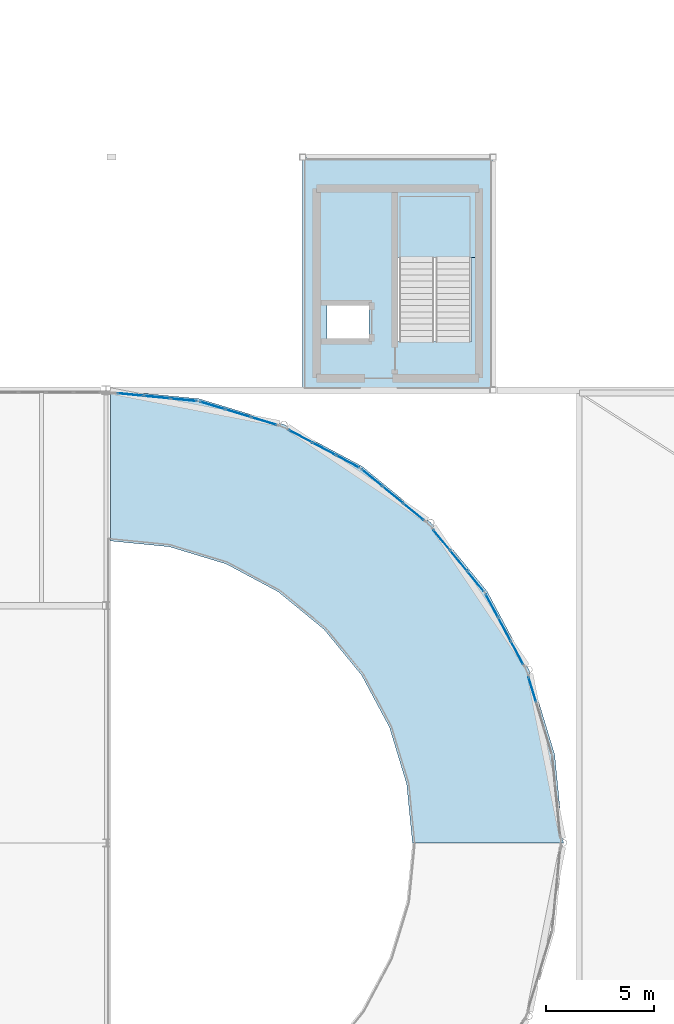
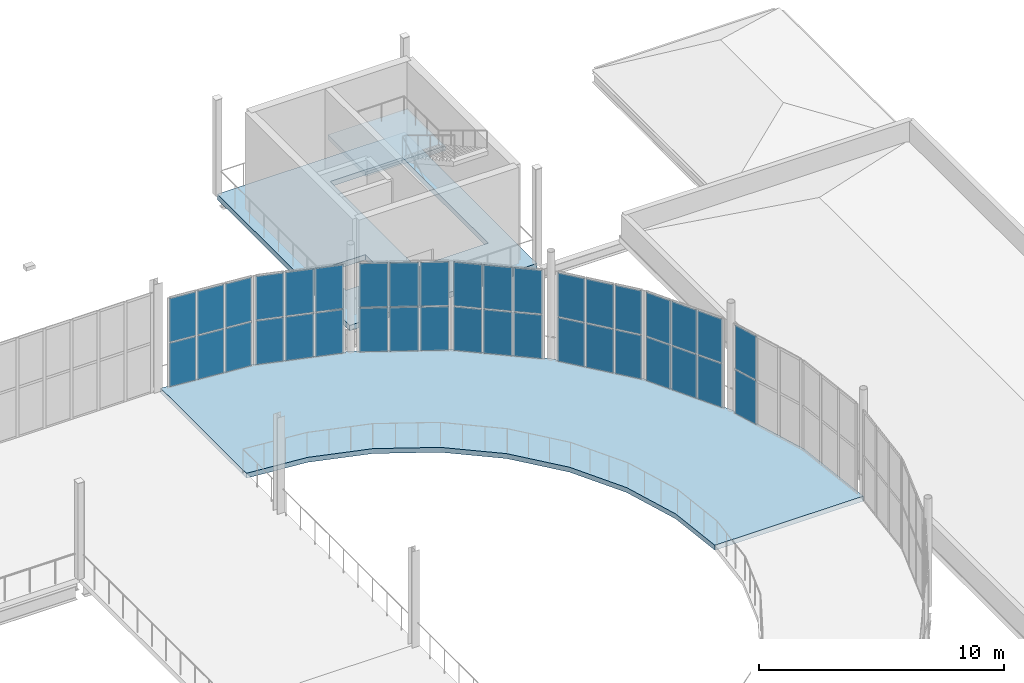
# One storey, part 86 of 112: 38 plates, 3 slabs, 8 elements without a shape of their own.
"""IFC4 building model written with IfcOpenShell, lengths in metres."""

from ifc_helpers import new_model, si_unit, direction, frame, origin, origin_2d, place, context, subcontext, project, spatial, polyline, rectangle, outline, extrude, material, layer, layer_set, type_object, element, aggregate, save


model = new_model("IFC4")

# Units and contexts
model_context = context("Model", 3, precision=1e-05, world=origin(), true_north=direction((0.0, 1.0)))
body_context = subcontext(model_context, "Body", "Model", "MODEL_VIEW")
ifc_project = project(units=[si_unit("LENGTHUNIT", "METRE"), si_unit("AREAUNIT", "SQUARE_METRE"), si_unit("VOLUMEUNIT", "CUBIC_METRE"), si_unit("PLANEANGLEUNIT", "RADIAN"), si_unit("MASSUNIT", "GRAM", prefix="KILO")], contexts=[model_context])

# Site, building, storey
site_placement = place(None, origin())
site = spatial("IfcSite", under=ifc_project, at=site_placement, CompositionType="ELEMENT")
building_placement = place(site_placement, origin())
building = spatial("IfcBuilding", under=site, at=building_placement, Name="Yeouljin Market Hall", CompositionType="ELEMENT")
storey_placement = place(building_placement, frame((0.0, 0.0, 6.0)))
storey = spatial("IfcBuildingStorey", under=building, at=storey_placement, Name="L01", CompositionType="ELEMENT", Elevation=6.0)

# Curtain wall, plates
ifc_material_1 = material(Name="Thermally Broken Aluminium", Category="aluminium")
ifc_layer_1 = layer(ifc_material_1, 0.179931640625)
ifc_layer_set_1 = layer_set([ifc_layer_1], Name="Thermally Broken Aluminium")
curtain_wall_type = type_object("IfcCurtainWallType", Name="CW_ApseCurved_System", PredefinedType="USERDEFINED", material=ifc_layer_set_1)
curtain_wall_1_placement = place(storey_placement, origin())
curtain_wall_1 = element("IfcCurtainWall", 1, at=curtain_wall_1_placement, inside=storey, type_object=curtain_wall_type, Name="Curtain wall CW-AP-EL01-10", ObjectType="CURTAIN WALL", PredefinedType="USERDEFINED")
ifc_material_2 = material(Name="Low-E Insulated Glass", Category="glass")
ifc_layer_2 = layer(ifc_material_2, 0.028076171875)
ifc_layer_set_2 = layer_set([ifc_layer_2], Name="Low-E Insulated Glass")
plate_type = type_object("IfcPlateType", Name="CWPanel_LowE_28", PredefinedType="CURTAIN_PANEL", material=ifc_layer_set_2)
plate_1_placement = place(storey_placement, frame((160.557861328125, 64.109130859375, 0.0478515625), z_axis=(0.0, 0.0, 1.0), x_axis=(0.290286164863, -0.95693988447, 0.0)))
plate_1 = element("IfcPlate", 2, at=plate_1_placement, type_object=plate_type, Name="CW-03 panel 1.1", PredefinedType="CURTAIN_PANEL", context=body_context, shape_type="SweptSolid", body=[
    extrude(rectangle(XDim=1.185791015625, YDim=0.028076171875, at=origin_2d()), origin(), (0.0, 0.0, 1.0), 2.177978515625),
])
plate_2_placement = place(storey_placement, frame((160.557861328125, 64.109130859375, 2.27392578125), z_axis=(0.0, 0.0, 1.0), x_axis=(0.290286164863, -0.95693988447, 0.0)))
plate_2 = element("IfcPlate", 3, at=plate_2_placement, type_object=plate_type, Name="CW-03 panel 1.2", PredefinedType="CURTAIN_PANEL", context=body_context, shape_type="SweptSolid", body=[
    extrude(rectangle(XDim=1.185791015625, YDim=0.028076171875, at=origin_2d()), origin(), (0.0, 0.0, 1.0), 2.177978515625),
])
aggregate(curtain_wall_1, [plate_1, plate_2])

curtain_wall_2_placement = place(storey_placement, origin())
curtain_wall_2 = element("IfcCurtainWall", 4, at=curtain_wall_2_placement, inside=storey, type_object=curtain_wall_type, Name="Curtain wall CW-AP-EL01-11", ObjectType="CURTAIN WALL", PredefinedType="USERDEFINED")
plate_3_placement = place(storey_placement, frame((158.68212890625, 67.999755859375, 0.0478515625), z_axis=(0.0, 0.0, 1.0), x_axis=(0.471377626598, -0.881931478712, 0.0)))
plate_3 = element("IfcPlate", 5, at=plate_3_placement, type_object=plate_type, Name="CW-03 panel 1.1", PredefinedType="CURTAIN_PANEL", context=body_context, shape_type="SweptSolid", body=[
    extrude(rectangle(XDim=1.185791015625, YDim=0.028076171875, at=origin_2d()), origin(), (0.0, 0.0, 1.0), 2.177978515625),
])
plate_4_placement = place(storey_placement, frame((158.68212890625, 67.999755859375, 2.27392578125), z_axis=(0.0, 0.0, 1.0), x_axis=(0.471377626598, -0.881931478712, 0.0)))
plate_4 = element("IfcPlate", 6, at=plate_4_placement, type_object=plate_type, Name="CW-03 panel 1.2", PredefinedType="CURTAIN_PANEL", context=body_context, shape_type="SweptSolid", body=[
    extrude(rectangle(XDim=1.185791015625, YDim=0.028076171875, at=origin_2d()), origin(), (0.0, 0.0, 1.0), 2.177978515625),
])
plate_5_placement = place(storey_placement, frame((159.269287109375, 66.901123046875, 0.0478515625), z_axis=(0.0, 0.0, 1.0), x_axis=(0.471377626598, -0.881931478712, 0.0)))
plate_5 = element("IfcPlate", 7, at=plate_5_placement, type_object=plate_type, Name="CW-03 panel 2.1", PredefinedType="CURTAIN_PANEL", context=body_context, shape_type="SweptSolid", body=[
    extrude(rectangle(XDim=1.209716796875, YDim=0.028076171875, at=origin_2d()), origin(), (0.0, 0.0, 1.0), 2.177978515625),
])
plate_6_placement = place(storey_placement, frame((159.269287109375, 66.901123046875, 2.27392578125), z_axis=(0.0, 0.0, 1.0), x_axis=(0.471377626598, -0.881931478712, 0.0)))
plate_6 = element("IfcPlate", 8, at=plate_6_placement, type_object=plate_type, Name="CW-03 panel 2.2", PredefinedType="CURTAIN_PANEL", context=body_context, shape_type="SweptSolid", body=[
    extrude(rectangle(XDim=1.209716796875, YDim=0.028076171875, at=origin_2d()), origin(), (0.0, 0.0, 1.0), 2.177978515625),
])
plate_7_placement = place(storey_placement, frame((159.8564453125, 65.802490234375, 0.0478515625), z_axis=(0.0, 0.0, 1.0), x_axis=(0.471377626598, -0.881931478712, 0.0)))
plate_7 = element("IfcPlate", 9, at=plate_7_placement, type_object=plate_type, Name="CW-03 panel 3.1", PredefinedType="CURTAIN_PANEL", context=body_context, shape_type="SweptSolid", body=[
    extrude(rectangle(XDim=1.185791015625, YDim=0.028076171875, at=origin_2d()), origin(), (0.0, 0.0, 1.0), 2.177978515625),
])
plate_8_placement = place(storey_placement, frame((159.8564453125, 65.802490234375, 2.27392578125), z_axis=(0.0, 0.0, 1.0), x_axis=(0.471377626598, -0.881931478712, 0.0)))
plate_8 = element("IfcPlate", 10, at=plate_8_placement, type_object=plate_type, Name="CW-03 panel 3.2", PredefinedType="CURTAIN_PANEL", context=body_context, shape_type="SweptSolid", body=[
    extrude(rectangle(XDim=1.185791015625, YDim=0.028076171875, at=origin_2d()), origin(), (0.0, 0.0, 1.0), 2.177978515625),
])
aggregate(curtain_wall_2, [plate_3, plate_4, plate_5, plate_6, plate_7, plate_8])

curtain_wall_3_placement = place(storey_placement, origin())
curtain_wall_3 = element("IfcCurtainWall", 11, at=curtain_wall_3_placement, inside=storey, type_object=curtain_wall_type, Name="Curtain wall CW-AP-EL01-12", ObjectType="CURTAIN WALL", PredefinedType="USERDEFINED")
plate_9_placement = place(storey_placement, frame((156.3486328125, 71.052490234375, 0.0478515625), z_axis=(0.0, 0.0, 1.0), x_axis=(0.634384432096, -0.773017717982, 0.0)))
plate_9 = element("IfcPlate", 12, at=plate_9_placement, type_object=plate_type, Name="CW-03 panel 1.1", PredefinedType="CURTAIN_PANEL", context=body_context, shape_type="SweptSolid", body=[
    extrude(rectangle(XDim=1.185791015625, YDim=0.028076171875, at=origin_2d()), origin(), (0.0, 0.0, 1.0), 2.177978515625),
])
plate_10_placement = place(storey_placement, frame((156.3486328125, 71.052490234375, 2.27392578125), z_axis=(0.0, 0.0, 1.0), x_axis=(0.634384432096, -0.773017717982, 0.0)))
plate_10 = element("IfcPlate", 13, at=plate_10_placement, type_object=plate_type, Name="CW-03 panel 1.2", PredefinedType="CURTAIN_PANEL", context=body_context, shape_type="SweptSolid", body=[
    extrude(rectangle(XDim=1.185791015625, YDim=0.028076171875, at=origin_2d()), origin(), (0.0, 0.0, 1.0), 2.177978515625),
])
plate_11_placement = place(storey_placement, frame((157.138916015625, 70.089599609375, 0.0478515625), z_axis=(0.0, 0.0, 1.0), x_axis=(0.634384432096, -0.773017717982, 0.0)))
plate_11 = element("IfcPlate", 14, at=plate_11_placement, type_object=plate_type, Name="CW-03 panel 2.1", PredefinedType="CURTAIN_PANEL", context=body_context, shape_type="SweptSolid", body=[
    extrude(rectangle(XDim=1.209716796875, YDim=0.028076171875, at=origin_2d()), origin(), (0.0, 0.0, 1.0), 2.177978515625),
])
plate_12_placement = place(storey_placement, frame((157.138916015625, 70.089599609375, 2.27392578125), z_axis=(0.0, 0.0, 1.0), x_axis=(0.634384432096, -0.773017717982, 0.0)))
plate_12 = element("IfcPlate", 15, at=plate_12_placement, type_object=plate_type, Name="CW-03 panel 2.2", PredefinedType="CURTAIN_PANEL", context=body_context, shape_type="SweptSolid", body=[
    extrude(rectangle(XDim=1.209716796875, YDim=0.028076171875, at=origin_2d()), origin(), (0.0, 0.0, 1.0), 2.177978515625),
])
plate_13_placement = place(storey_placement, frame((157.92919921875, 69.126708984375, 0.0478515625), z_axis=(0.0, 0.0, 1.0), x_axis=(0.634384432096, -0.773017717982, 0.0)))
plate_13 = element("IfcPlate", 16, at=plate_13_placement, type_object=plate_type, Name="CW-03 panel 3.1", PredefinedType="CURTAIN_PANEL", context=body_context, shape_type="SweptSolid", body=[
    extrude(rectangle(XDim=1.185791015625, YDim=0.028076171875, at=origin_2d()), origin(), (0.0, 0.0, 1.0), 2.177978515625),
])
plate_14_placement = place(storey_placement, frame((157.92919921875, 69.126708984375, 2.27392578125), z_axis=(0.0, 0.0, 1.0), x_axis=(0.634384432096, -0.773017717982, 0.0)))
plate_14 = element("IfcPlate", 17, at=plate_14_placement, type_object=plate_type, Name="CW-03 panel 3.2", PredefinedType="CURTAIN_PANEL", context=body_context, shape_type="SweptSolid", body=[
    extrude(rectangle(XDim=1.185791015625, YDim=0.028076171875, at=origin_2d()), origin(), (0.0, 0.0, 1.0), 2.177978515625),
])
aggregate(curtain_wall_3, [plate_9, plate_10, plate_11, plate_12, plate_13, plate_14])

curtain_wall_4_placement = place(storey_placement, origin())
curtain_wall_4 = element("IfcCurtainWall", 18, at=curtain_wall_4_placement, inside=storey, type_object=curtain_wall_type, Name="Curtain wall CW-AP-EL01-13", ObjectType="CURTAIN WALL", PredefinedType="USERDEFINED")
plate_15_placement = place(storey_placement, frame((153.126708984375, 73.92919921875, 0.0478515625), z_axis=(0.0, 0.0, 1.0), x_axis=(0.773017717982, -0.634384432096, 0.0)))
plate_15 = element("IfcPlate", 19, at=plate_15_placement, type_object=plate_type, Name="CW-03 panel 1.1", PredefinedType="CURTAIN_PANEL", context=body_context, shape_type="SweptSolid", body=[
    extrude(rectangle(XDim=1.185791015625, YDim=0.028076171875, at=origin_2d()), origin(), (0.0, 0.0, 1.0), 2.177978515625),
])
plate_16_placement = place(storey_placement, frame((153.126708984375, 73.92919921875, 2.27392578125), z_axis=(0.0, 0.0, 1.0), x_axis=(0.773017717982, -0.634384432096, 0.0)))
plate_16 = element("IfcPlate", 20, at=plate_16_placement, type_object=plate_type, Name="CW-03 panel 1.2", PredefinedType="CURTAIN_PANEL", context=body_context, shape_type="SweptSolid", body=[
    extrude(rectangle(XDim=1.185791015625, YDim=0.028076171875, at=origin_2d()), origin(), (0.0, 0.0, 1.0), 2.177978515625),
])
plate_17_placement = place(storey_placement, frame((154.089599609375, 73.138916015625, 0.0478515625), z_axis=(0.0, 0.0, 1.0), x_axis=(0.773017717982, -0.634384432096, 0.0)))
plate_17 = element("IfcPlate", 21, at=plate_17_placement, type_object=plate_type, Name="CW-03 panel 2.1", PredefinedType="CURTAIN_PANEL", context=body_context, shape_type="SweptSolid", body=[
    extrude(rectangle(XDim=1.209716796875, YDim=0.028076171875, at=origin_2d()), origin(), (0.0, 0.0, 1.0), 2.177978515625),
])
plate_18_placement = place(storey_placement, frame((154.089599609375, 73.138916015625, 2.27392578125), z_axis=(0.0, 0.0, 1.0), x_axis=(0.773017717982, -0.634384432096, 0.0)))
plate_18 = element("IfcPlate", 22, at=plate_18_placement, type_object=plate_type, Name="CW-03 panel 2.2", PredefinedType="CURTAIN_PANEL", context=body_context, shape_type="SweptSolid", body=[
    extrude(rectangle(XDim=1.209716796875, YDim=0.028076171875, at=origin_2d()), origin(), (0.0, 0.0, 1.0), 2.177978515625),
])
plate_19_placement = place(storey_placement, frame((155.052490234375, 72.3486328125, 0.0478515625), z_axis=(0.0, 0.0, 1.0), x_axis=(0.773017717982, -0.634384432096, 0.0)))
plate_19 = element("IfcPlate", 23, at=plate_19_placement, type_object=plate_type, Name="CW-03 panel 3.1", PredefinedType="CURTAIN_PANEL", context=body_context, shape_type="SweptSolid", body=[
    extrude(rectangle(XDim=1.185791015625, YDim=0.028076171875, at=origin_2d()), origin(), (0.0, 0.0, 1.0), 2.177978515625),
])
plate_20_placement = place(storey_placement, frame((155.052490234375, 72.3486328125, 2.27392578125), z_axis=(0.0, 0.0, 1.0), x_axis=(0.773017717982, -0.634384432096, 0.0)))
plate_20 = element("IfcPlate", 24, at=plate_20_placement, type_object=plate_type, Name="CW-03 panel 3.2", PredefinedType="CURTAIN_PANEL", context=body_context, shape_type="SweptSolid", body=[
    extrude(rectangle(XDim=1.185791015625, YDim=0.028076171875, at=origin_2d()), origin(), (0.0, 0.0, 1.0), 2.177978515625),
])
aggregate(curtain_wall_4, [plate_15, plate_16, plate_17, plate_18, plate_19, plate_20])

curtain_wall_5_placement = place(storey_placement, origin())
curtain_wall_5 = element("IfcCurtainWall", 25, at=curtain_wall_5_placement, inside=storey, type_object=curtain_wall_type, Name="Curtain wall CW-AP-EL01-14", ObjectType="CURTAIN WALL", PredefinedType="USERDEFINED")
plate_21_placement = place(storey_placement, frame((149.802490234375, 75.8564453125, 0.0478515625), z_axis=(0.0, 0.0, 1.0), x_axis=(0.881931478712, -0.471377626598, 0.0)))
plate_21 = element("IfcPlate", 26, at=plate_21_placement, type_object=plate_type, Name="CW-03 panel 1.1", PredefinedType="CURTAIN_PANEL", context=body_context, shape_type="SweptSolid", body=[
    extrude(rectangle(XDim=1.185791015625, YDim=0.028076171875, at=origin_2d()), origin(), (0.0, 0.0, 1.0), 2.177978515625),
])
plate_22_placement = place(storey_placement, frame((149.802490234375, 75.8564453125, 2.27392578125), z_axis=(0.0, 0.0, 1.0), x_axis=(0.881931478712, -0.471377626598, 0.0)))
plate_22 = element("IfcPlate", 27, at=plate_22_placement, type_object=plate_type, Name="CW-03 panel 1.2", PredefinedType="CURTAIN_PANEL", context=body_context, shape_type="SweptSolid", body=[
    extrude(rectangle(XDim=1.185791015625, YDim=0.028076171875, at=origin_2d()), origin(), (0.0, 0.0, 1.0), 2.177978515625),
])
plate_23_placement = place(storey_placement, frame((150.901123046875, 75.269287109375, 0.0478515625), z_axis=(0.0, 0.0, 1.0), x_axis=(0.881931478712, -0.471377626598, 0.0)))
plate_23 = element("IfcPlate", 28, at=plate_23_placement, type_object=plate_type, Name="CW-03 panel 2.1", PredefinedType="CURTAIN_PANEL", context=body_context, shape_type="SweptSolid", body=[
    extrude(rectangle(XDim=1.209716796875, YDim=0.028076171875, at=origin_2d()), origin(), (0.0, 0.0, 1.0), 2.177978515625),
])
plate_24_placement = place(storey_placement, frame((150.901123046875, 75.269287109375, 2.27392578125), z_axis=(0.0, 0.0, 1.0), x_axis=(0.881931478712, -0.471377626598, 0.0)))
plate_24 = element("IfcPlate", 29, at=plate_24_placement, type_object=plate_type, Name="CW-03 panel 2.2", PredefinedType="CURTAIN_PANEL", context=body_context, shape_type="SweptSolid", body=[
    extrude(rectangle(XDim=1.209716796875, YDim=0.028076171875, at=origin_2d()), origin(), (0.0, 0.0, 1.0), 2.177978515625),
])
plate_25_placement = place(storey_placement, frame((151.999755859375, 74.68212890625, 0.0478515625), z_axis=(0.0, 0.0, 1.0), x_axis=(0.881931478712, -0.471377626598, 0.0)))
plate_25 = element("IfcPlate", 30, at=plate_25_placement, type_object=plate_type, Name="CW-03 panel 3.1", PredefinedType="CURTAIN_PANEL", context=body_context, shape_type="SweptSolid", body=[
    extrude(rectangle(XDim=1.185791015625, YDim=0.028076171875, at=origin_2d()), origin(), (0.0, 0.0, 1.0), 2.177978515625),
])
plate_26_placement = place(storey_placement, frame((151.999755859375, 74.68212890625, 2.27392578125), z_axis=(0.0, 0.0, 1.0), x_axis=(0.881931478712, -0.471377626598, 0.0)))
plate_26 = element("IfcPlate", 31, at=plate_26_placement, type_object=plate_type, Name="CW-03 panel 3.2", PredefinedType="CURTAIN_PANEL", context=body_context, shape_type="SweptSolid", body=[
    extrude(rectangle(XDim=1.185791015625, YDim=0.028076171875, at=origin_2d()), origin(), (0.0, 0.0, 1.0), 2.177978515625),
])
aggregate(curtain_wall_5, [plate_21, plate_22, plate_23, plate_24, plate_25, plate_26])

curtain_wall_6_placement = place(storey_placement, origin())
curtain_wall_6 = element("IfcCurtainWall", 32, at=curtain_wall_6_placement, inside=storey, type_object=curtain_wall_type, Name="Curtain wall CW-AP-EL01-15", ObjectType="CURTAIN WALL", PredefinedType="USERDEFINED")
plate_27_placement = place(storey_placement, frame((145.72509765625, 77.28125, 0.0478515625), z_axis=(0.0, 0.0, 1.0), x_axis=(0.95693988447, -0.290286164863, 0.0)))
plate_27 = element("IfcPlate", 33, at=plate_27_placement, type_object=plate_type, Name="CW-03 panel 1.1", PredefinedType="CURTAIN_PANEL", context=body_context, shape_type="SweptSolid", body=[
    extrude(rectangle(XDim=1.185791015625, YDim=0.028076171875, at=origin_2d()), origin(), (0.0, 0.0, 1.0), 2.177978515625),
])
plate_28_placement = place(storey_placement, frame((145.72509765625, 77.28125, 2.27392578125), z_axis=(0.0, 0.0, 1.0), x_axis=(0.95693988447, -0.290286164863, 0.0)))
plate_28 = element("IfcPlate", 34, at=plate_28_placement, type_object=plate_type, Name="CW-03 panel 1.2", PredefinedType="CURTAIN_PANEL", context=body_context, shape_type="SweptSolid", body=[
    extrude(rectangle(XDim=1.185791015625, YDim=0.028076171875, at=origin_2d()), origin(), (0.0, 0.0, 1.0), 2.177978515625),
])
plate_29_placement = place(storey_placement, frame((146.917236328125, 76.91943359375, 0.0478515625), z_axis=(0.0, 0.0, 1.0), x_axis=(0.95693988447, -0.290286164863, 0.0)))
plate_29 = element("IfcPlate", 35, at=plate_29_placement, type_object=plate_type, Name="CW-03 panel 2.1", PredefinedType="CURTAIN_PANEL", context=body_context, shape_type="SweptSolid", body=[
    extrude(rectangle(XDim=1.209716796875, YDim=0.028076171875, at=origin_2d()), origin(), (0.0, 0.0, 1.0), 2.177978515625),
])
plate_30_placement = place(storey_placement, frame((146.917236328125, 76.91943359375, 2.27392578125), z_axis=(0.0, 0.0, 1.0), x_axis=(0.95693988447, -0.290286164863, 0.0)))
plate_30 = element("IfcPlate", 36, at=plate_30_placement, type_object=plate_type, Name="CW-03 panel 2.2", PredefinedType="CURTAIN_PANEL", context=body_context, shape_type="SweptSolid", body=[
    extrude(rectangle(XDim=1.209716796875, YDim=0.028076171875, at=origin_2d()), origin(), (0.0, 0.0, 1.0), 2.177978515625),
])
plate_31_placement = place(storey_placement, frame((148.109130859375, 76.557861328125, 0.0478515625), z_axis=(0.0, 0.0, 1.0), x_axis=(0.95693988447, -0.290286164863, 0.0)))
plate_31 = element("IfcPlate", 37, at=plate_31_placement, type_object=plate_type, Name="CW-03 panel 3.1", PredefinedType="CURTAIN_PANEL", context=body_context, shape_type="SweptSolid", body=[
    extrude(rectangle(XDim=1.185791015625, YDim=0.028076171875, at=origin_2d()), origin(), (0.0, 0.0, 1.0), 2.177978515625),
])
plate_32_placement = place(storey_placement, frame((148.109130859375, 76.557861328125, 2.27392578125), z_axis=(0.0, 0.0, 1.0), x_axis=(0.95693988447, -0.290286164863, 0.0)))
plate_32 = element("IfcPlate", 38, at=plate_32_placement, type_object=plate_type, Name="CW-03 panel 3.2", PredefinedType="CURTAIN_PANEL", context=body_context, shape_type="SweptSolid", body=[
    extrude(rectangle(XDim=1.185791015625, YDim=0.028076171875, at=origin_2d()), origin(), (0.0, 0.0, 1.0), 2.177978515625),
])
aggregate(curtain_wall_6, [plate_27, plate_28, plate_29, plate_30, plate_31, plate_32])

curtain_wall_7_placement = place(storey_placement, origin())
curtain_wall_7 = element("IfcCurtainWall", 39, at=curtain_wall_7_placement, inside=storey, type_object=curtain_wall_type, Name="Curtain wall CW-AP-EL01-16", ObjectType="CURTAIN WALL", PredefinedType="USERDEFINED")
plate_33_placement = place(storey_placement, frame((141.91650390625, 77.789794921875, 0.0478515625), z_axis=(0.0, 0.0, 1.0), x_axis=(0.995183051807, -0.09803414403, 0.0)))
plate_33 = element("IfcPlate", 40, at=plate_33_placement, type_object=plate_type, Name="CW-03 panel 1.1", PredefinedType="CURTAIN_PANEL", context=body_context, shape_type="SweptSolid", body=[
    extrude(rectangle(XDim=1.185791015625, YDim=0.028076171875, at=origin_2d()), origin(), (0.0, 0.0, 1.0), 2.177978515625),
])
plate_34_placement = place(storey_placement, frame((141.91650390625, 77.789794921875, 2.27392578125), z_axis=(0.0, 0.0, 1.0), x_axis=(0.995183051807, -0.09803414403, 0.0)))
plate_34 = element("IfcPlate", 41, at=plate_34_placement, type_object=plate_type, Name="CW-03 panel 1.2", PredefinedType="CURTAIN_PANEL", context=body_context, shape_type="SweptSolid", body=[
    extrude(rectangle(XDim=1.185791015625, YDim=0.028076171875, at=origin_2d()), origin(), (0.0, 0.0, 1.0), 2.177978515625),
])
plate_35_placement = place(storey_placement, frame((143.15625, 77.667724609375, 0.0478515625), z_axis=(0.0, 0.0, 1.0), x_axis=(0.995183051807, -0.09803414403, 0.0)))
plate_35 = element("IfcPlate", 42, at=plate_35_placement, type_object=plate_type, Name="CW-03 panel 2.1", PredefinedType="CURTAIN_PANEL", context=body_context, shape_type="SweptSolid", body=[
    extrude(rectangle(XDim=1.209716796875, YDim=0.028076171875, at=origin_2d()), origin(), (0.0, 0.0, 1.0), 2.177978515625),
])
plate_36_placement = place(storey_placement, frame((143.15625, 77.667724609375, 2.27392578125), z_axis=(0.0, 0.0, 1.0), x_axis=(0.995183051807, -0.09803414403, 0.0)))
plate_36 = element("IfcPlate", 43, at=plate_36_placement, type_object=plate_type, Name="CW-03 panel 2.2", PredefinedType="CURTAIN_PANEL", context=body_context, shape_type="SweptSolid", body=[
    extrude(rectangle(XDim=1.209716796875, YDim=0.028076171875, at=origin_2d()), origin(), (0.0, 0.0, 1.0), 2.177978515625),
])
plate_37_placement = place(storey_placement, frame((144.39599609375, 77.54541015625, 0.0478515625), z_axis=(0.0, 0.0, 1.0), x_axis=(0.995183051807, -0.09803414403, 0.0)))
plate_37 = element("IfcPlate", 44, at=plate_37_placement, type_object=plate_type, Name="CW-03 panel 3.1", PredefinedType="CURTAIN_PANEL", context=body_context, shape_type="SweptSolid", body=[
    extrude(rectangle(XDim=1.185791015625, YDim=0.028076171875, at=origin_2d()), origin(), (0.0, 0.0, 1.0), 2.177978515625),
])
plate_38_placement = place(storey_placement, frame((144.39599609375, 77.54541015625, 2.27392578125), z_axis=(0.0, 0.0, 1.0), x_axis=(0.995183051807, -0.09803414403, 0.0)))
plate_38 = element("IfcPlate", 45, at=plate_38_placement, type_object=plate_type, Name="CW-03 panel 3.2", PredefinedType="CURTAIN_PANEL", context=body_context, shape_type="SweptSolid", body=[
    extrude(rectangle(XDim=1.185791015625, YDim=0.028076171875, at=origin_2d()), origin(), (0.0, 0.0, 1.0), 2.177978515625),
])
aggregate(curtain_wall_7, [plate_33, plate_34, plate_35, plate_36, plate_37, plate_38])

# Slabs
ifc_material_3 = material(Name="Concrete C30/37", Category="concrete")
ifc_layer_3 = layer(ifc_material_3, 0.2451171875)
ifc_layer_set_3 = layer_set([ifc_layer_3], Name="Concrete C30/37")
slab_type_1 = type_object("IfcSlabType", Name="SLB_MEZZ_230", PredefinedType="FLOOR", material=ifc_layer_set_3)
slab_1_placement = place(storey_placement, frame((0.0, 0.0, -0.2451171875)))
element("IfcSlab", 46, at=slab_1_placement, inside=storey, type_object=slab_type_1, Name="Structural slab SLB-L01-AEN", PredefinedType="FLOOR", context=body_context, shape_type="SweptSolid", body=[
    extrude(outline(polyline([(162.0, 57.0), (161.596435546875, 61.096923828125), (160.401611328125, 65.036376953125), (158.4609375, 68.6669921875), (155.84912109375, 71.84912109375), (152.6669921875, 74.4609375), (149.036376953125, 76.401611328125), (145.096923828125, 77.596435546875), (141.0, 78.0), (141.0, 71.0), (143.731201171875, 70.73095703125), (146.357666015625, 69.934326171875), (148.778076171875, 68.640625), (150.8994140625, 66.8994140625), (152.640625, 64.778076171875), (153.934326171875, 62.357666015625), (154.73095703125, 59.731201171875), (155.0, 57.0), (162.0, 57.0)])), origin(), (0.0, 0.0, 1.0), 0.2451171875),
])
ifc_material_4 = material(Name="Concrete C30/37", Category="concrete")
ifc_layer_4 = layer(ifc_material_4, 0.264892578125)
ifc_layer_set_4 = layer_set([ifc_layer_4], Name="Concrete C30/37")
slab_type_2 = type_object("IfcSlabType", Name="SLB_WING_220", PredefinedType="FLOOR", material=ifc_layer_set_4)
slab_2_placement = place(storey_placement, frame((0.0, 0.0, -0.264892578125)))
element("IfcSlab", 47, at=slab_2_placement, inside=storey, type_object=slab_type_2, Name="Structural slab SLB-L01-EN", PredefinedType="FLOOR", context=body_context, shape_type="SweptSolid", body=[
    extrude(outline(polyline([(149.909912109375, 78.0), (158.739990234375, 78.0), (158.739990234375, 88.800048828125), (149.909912109375, 88.800048828125), (149.909912109375, 78.0)]), holes=[polyline([(154.340087890625, 80.25), (157.739990234375, 80.25), (157.739990234375, 87.27001953125), (154.340087890625, 87.27001953125), (154.340087890625, 80.25)]), polyline([(151.034912109375, 80.25), (152.985107421875, 80.25), (152.985107421875, 82.050048828125), (151.034912109375, 82.050048828125), (151.034912109375, 80.25)])]), origin(), (0.0, 0.0, 1.0), 0.264892578125),
])

# Stair, slab
ifc_material_5 = material(Name="Concrete C30/37", Category="concrete")
stair_type = type_object("IfcStairType", Name="Stair_Core_L01_L02", PredefinedType="TWO_STRAIGHT_RUN_STAIR", material=ifc_material_5)
stair_placement = place(storey_placement, origin())
stair = element("IfcStair", 48, at=stair_placement, inside=storey, type_object=stair_type, Name="Enclosed exit stair ST-C4-L01", PredefinedType="TWO_STRAIGHT_RUN_STAIR")
ifc_material_6 = material(Name="Concrete C30/37", Category="concrete")
ifc_layer_5 = layer(ifc_material_6, 0.219970703125)
ifc_layer_set_5 = layer_set([ifc_layer_5], Name="Concrete C30/37")
slab_type_3 = type_object("IfcSlabType", Name="StairLanding_220", PredefinedType="LANDING", material=ifc_layer_set_5)
slab_3_placement = place(storey_placement, frame((0.0, 0.0, 2.179931640625)))
slab_3 = element("IfcSlab", 49, at=slab_3_placement, type_object=slab_type_3, Name="ST-C4-L01 landing 1", PredefinedType="LANDING", context=body_context, shape_type="SweptSolid", body=[
    extrude(outline(polyline([(154.219970703125, 84.14990234375), (157.969970703125, 84.14990234375), (157.969970703125, 87.22998046875), (154.219970703125, 87.22998046875), (154.219970703125, 84.14990234375)])), origin(), (0.0, 0.0, 1.0), 0.219970703125),
])
aggregate(stair, [slab_3])

save(model, "model.ifc")
